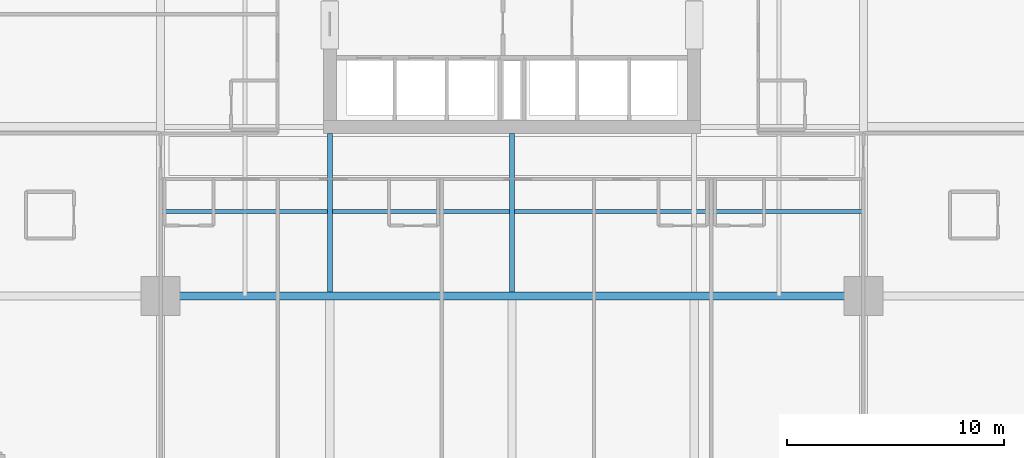
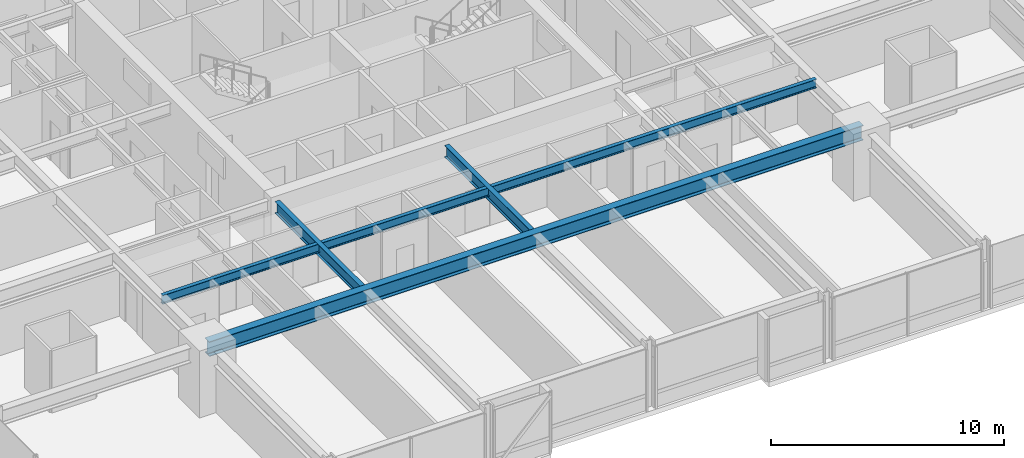
# One storey, part 6 of 38: 4 beams.
"""IFC4 building model written with IfcOpenShell, lengths in metres."""

from ifc_helpers import new_model, si_unit, direction, frame, origin, origin_2d, place, context, subcontext, project, spatial, i_section, extrude, material, material_profile, profile_set, type_object, element, save


model = new_model("IFC4")

# Units and contexts
model_context = context("Model", 3, precision=1e-05, world=origin(), true_north=direction((0.0, 1.0)))
body_context = subcontext(model_context, "Body", "Model", "MODEL_VIEW")
ifc_project = project(units=[si_unit("LENGTHUNIT", "METRE"), si_unit("AREAUNIT", "SQUARE_METRE"), si_unit("VOLUMEUNIT", "CUBIC_METRE"), si_unit("PLANEANGLEUNIT", "RADIAN"), si_unit("MASSUNIT", "GRAM", prefix="KILO")], contexts=[model_context])

# Site, building, storey
site_placement = place(None, origin())
site = spatial("IfcSite", under=ifc_project, at=site_placement, CompositionType="ELEMENT")
building_placement = place(site_placement, origin())
building = spatial("IfcBuilding", under=site, at=building_placement, Name="Drelvath Grand Hotel", CompositionType="ELEMENT")
storey_placement = place(building_placement, frame((0.0, 0.0, 61.199951171875)))
storey = spatial("IfcBuildingStorey", under=building, at=storey_placement, Name="L14", CompositionType="ELEMENT", Elevation=61.199951171875)

# Beams
ifc_material = material(Name="Steel ASTM A992 Gr 50", Category="steel")
ifc_material_profile_1 = material_profile(ifc_material, i_section(OverallWidth=0.19140625, OverallDepth=0.4599609375, WebThickness=0.010009765625, FlangeThickness=0.01611328125, FilletRadius=0.01611328125, at=origin_2d()), Name="W18X55")
ifc_profile_set_1 = profile_set([ifc_material_profile_1], Name="Steel ASTM A992 Gr 50")
beam_type_1 = type_object("IfcBeamType", Name="Composite Floor Joist W18X55", PredefinedType="JOIST", material=ifc_profile_set_1)
beam_1_placement = place(storey_placement, frame((-16.199951171875, 14.699951171875, 3.010009765625), z_axis=(1.0, 0.0, 0.0), x_axis=(0.0, 1.0, 0.0)))
element("IfcBeam", 1, at=beam_1_placement, inside=storey, type_object=beam_type_1, Name="L14 Floor Joist J1", PredefinedType="JOIST", context=body_context, shape_type="SweptSolid", body=[
    extrude(i_section(OverallWidth=0.19140625, OverallDepth=0.4599609375, WebThickness=0.010009765625, FlangeThickness=0.01611328125, FilletRadius=0.01611328125, at=origin_2d()), origin(), (0.0, 0.0, 1.0), 32.39990234375),
])
ifc_material_profile_2 = material_profile(ifc_material, i_section(OverallWidth=0.228271484375, OverallDepth=0.607666015625, WebThickness=0.01123046875, FlangeThickness=0.017333984375, FilletRadius=0.02001953125, at=origin_2d()), Name="W24X76")
ifc_profile_set_2 = profile_set([ifc_material_profile_2], Name="Steel ASTM A992 Gr 50")
beam_type_2 = type_object("IfcBeamType", Name="Primary Floor Girder W24X76", PredefinedType="BEAM", material=ifc_profile_set_2)
for number, where, z_axis, x_axis, name in (
    (2, (-8.39990234375, 10.990234375, 2.936279296875), (0.0, 1.0, 0.0), (-1.0, 0.0, 0.0), "L14 South Core Tie 4"),
    (3, (0.0, 10.990234375, 2.936279296875), (0.0, 1.0, 0.0), (-1.0, 0.0, 0.0), "L14 South Core Tie 5"),
):
    element("IfcBeam", number, at=place(storey_placement, frame(where, z_axis=z_axis, x_axis=x_axis)), inside=storey, type_object=beam_type_2, Name=name, PredefinedType="BEAM", context=body_context, shape_type="SweptSolid", body=[
        extrude(i_section(OverallWidth=0.228271484375, OverallDepth=0.607666015625, WebThickness=0.01123046875, FlangeThickness=0.017333984375, FilletRadius=0.02001953125, at=origin_2d()), origin(), (0.0, 0.0, 1.0), 7.309814453125),
    ])
ifc_material_profile_3 = material_profile(ifc_material, i_section(OverallWidth=0.380615234375, OverallDepth=0.773193359375, WebThickness=0.0166015625, FlangeThickness=0.027099609375, FilletRadius=0.02490234375, at=origin_2d()), Name="W30X173")
ifc_profile_set_3 = profile_set([ifc_material_profile_3], Name="Steel ASTM A992 Gr 50")
beam_type_3 = type_object("IfcBeamType", Name="Primary Floor Girder W30X173", PredefinedType="BEAM", material=ifc_profile_set_3)
beam_2_placement = place(storey_placement, frame((-16.199951171875, 10.800048828125, 2.853515625), z_axis=(1.0, 0.0, 0.0), x_axis=(0.0, 1.0, 0.0)))
element("IfcBeam", 4, at=beam_2_placement, inside=storey, type_object=beam_type_3, Name="L14 Mega Ring Girder South", PredefinedType="BEAM", context=body_context, shape_type="SweptSolid", body=[
    extrude(i_section(OverallWidth=0.380615234375, OverallDepth=0.773193359375, WebThickness=0.0166015625, FlangeThickness=0.027099609375, FilletRadius=0.02490234375, at=origin_2d()), origin(), (0.0, 0.0, 1.0), 32.39990234375),
])

save(model, "model.ifc")
